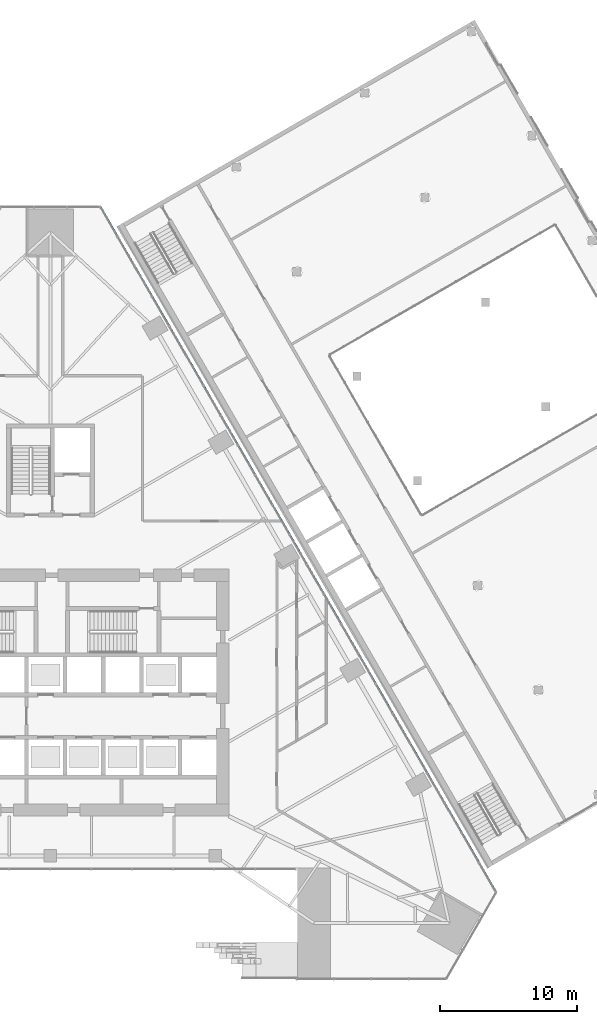
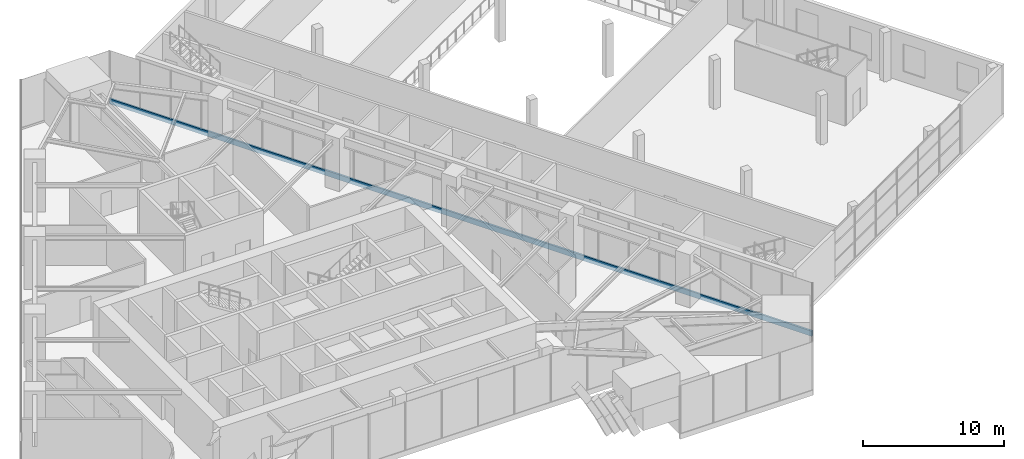
# One storey, part 9 of 30: 1 member, 1 element without a shape of its own.
"""IFC4 building model written with IfcOpenShell, lengths in metres."""

from ifc_helpers import new_model, si_unit, direction, frame, origin, origin_2d, place, context, subcontext, project, spatial, rectangle, extrude, material, layer, layer_set, material_profile, profile_set, type_object, element, aggregate, save


model = new_model("IFC4")

# Units and contexts
model_context = context("Model", 3, precision=1e-05, world=origin(), true_north=direction((0.0, 1.0)))
body_context = subcontext(model_context, "Body", "Model", "MODEL_VIEW")
ifc_project = project(units=[si_unit("LENGTHUNIT", "METRE"), si_unit("AREAUNIT", "SQUARE_METRE"), si_unit("VOLUMEUNIT", "CUBIC_METRE"), si_unit("PLANEANGLEUNIT", "RADIAN"), si_unit("MASSUNIT", "GRAM", prefix="KILO")], contexts=[model_context])

# Site, building, storey
site_placement = place(None, origin())
site = spatial("IfcSite", under=ifc_project, at=site_placement, CompositionType="ELEMENT")
building_placement = place(site_placement, origin())
building = spatial("IfcBuilding", under=site, at=building_placement, Name="Firuza Gate Tower and Library", CompositionType="ELEMENT")
storey_placement = place(building_placement, frame((0.0, 0.0, 12.60009765625)))
storey = spatial("IfcBuildingStorey", under=building, at=storey_placement, Name="L02", CompositionType="ELEMENT", Elevation=12.60009765625)

# Curtain wall, member
ifc_material_1 = material(Name="Aluminium 6063-T6", Category="aluminium")
ifc_layer = layer(ifc_material_1, 0.14990234375)
ifc_layer_set = layer_set([ifc_layer], Name="Stick curtain wall, podium")
curtain_wall_type = type_object("IfcCurtainWallType", Name="Stick curtain wall, podium", PredefinedType="NOTDEFINED", material=ifc_layer_set)
curtain_wall_placement = place(storey_placement, origin())
curtain_wall = element("IfcCurtainWall", 1, at=curtain_wall_placement, inside=storey, type_object=curtain_wall_type, Name="CW5 L02 E", PredefinedType="NOTDEFINED")
ifc_material_2 = material(Name="Aluminium 6063-T6", Category="aluminium")
ifc_material_profile = material_profile(ifc_material_2, rectangle(XDim=0.14990234375, YDim=0.449951171875, at=origin_2d()))
ifc_profile_set = profile_set([ifc_material_profile], Name="Aluminium 6063-T6")
member_type = type_object("IfcMemberType", Name="Curtain wall transom 450x150", PredefinedType="USERDEFINED", material=ifc_profile_set)
member_placement = place(storey_placement, frame((107.486572265625, 60.45068359375, -0.0751953125), z_axis=(-0.499998069382, 0.866026518424, 0.0), x_axis=(-0.866026518424, -0.499998069382, 0.0)))
member = element("IfcMember", 2, at=member_placement, type_object=member_type, Name="Transom", ObjectType="TRANSOM", PredefinedType="USERDEFINED", context=body_context, shape_type="SweptSolid", body=[
    extrude(rectangle(XDim=0.14990234375, YDim=0.449951171875, at=origin_2d()), origin(), (0.0, 0.0, 1.0), 57.686767578125),
])
aggregate(curtain_wall, [member])

save(model, "model.ifc")
